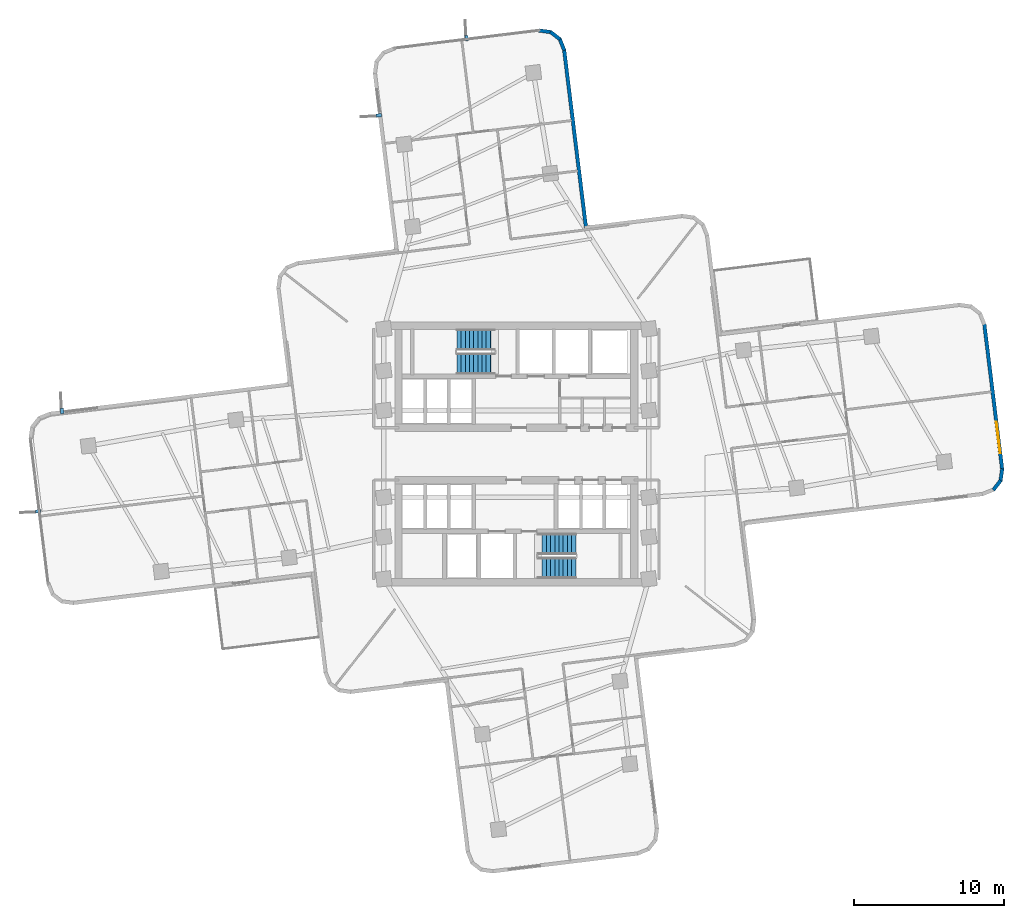
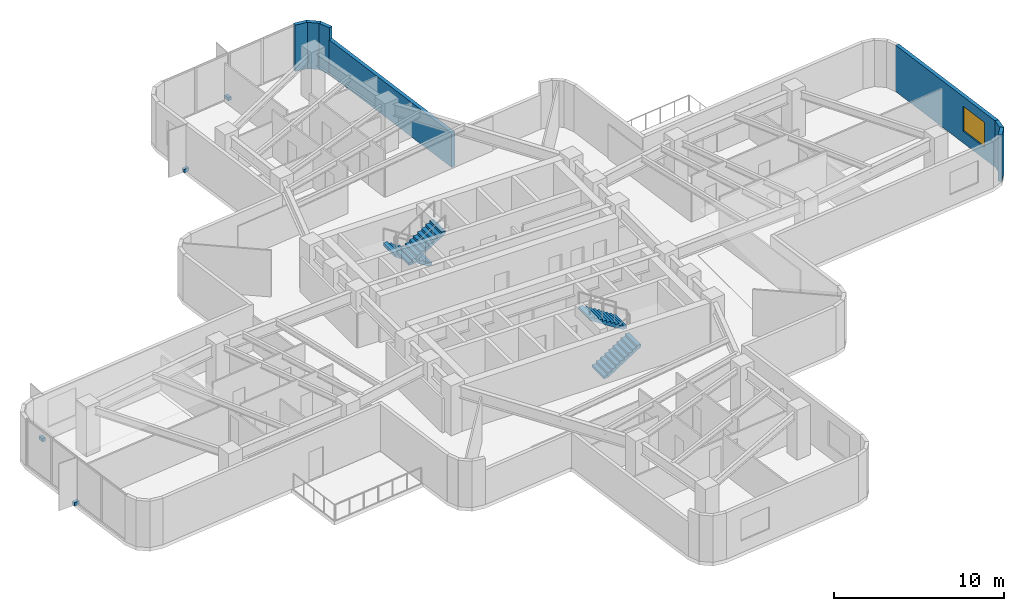
# One storey, part 10 of 13: 7 walls, 4 discrete accessories, 4 stair flights, 1 window, 1 opening, 2 elements without a shape of their own.
"""IFC4 building model written with IfcOpenShell, lengths in metres."""

import ifcopenshell
import ifcopenshell.guid

model = None  # the IFC model being written
_history = None  # IfcOwnerHistory: only IFC2X3 demands one
_inside = {}  # id of a spatial element -> (the spatial element, [elements in it])
_under = {}  # id of a project, library or spatial element -> (it, [spatial elements below it])
_declared = {}  # id of a project -> (the project, [libraries it declares])
_typed = {}  # id of a type object -> (the type object, [elements of that type])
_made_of = {}  # id of a material, layer set ... -> (it, [elements and type objects made of it])


def new_model(schema):
    """Start an empty IFC model of exactly this schema.

    Asked for "IFC4X3", IfcOpenShell would pick the latest addendum, in which some entities
    have other attributes; the version numbers below select the first issue.
    IFC2X3 requires an IfcOwnerHistory on every rooted entity: one is made here for all.
    """
    global model, _history
    if schema == "IFC4X3":
        model = ifcopenshell.file(schema_version=(4, 3, 0, 0))
    else:
        model = ifcopenshell.file(schema=schema)
    _inside.clear()
    _under.clear()
    _declared.clear()
    _typed.clear()
    _made_of.clear()
    _history = None
    if model.schema == "IFC2X3":
        org = make("IfcOrganization", Name="unknown")
        user = make(
            "IfcPersonAndOrganization",
            ThePerson=make("IfcPerson", FamilyName="unknown"),
            TheOrganization=org,
        )
        app = make(
            "IfcApplication",
            ApplicationDeveloper=org,
            Version="unknown",
            ApplicationFullName="unknown",
            ApplicationIdentifier="unknown",
        )
        _history = make(
            "IfcOwnerHistory",
            OwningUser=user,
            OwningApplication=app,
            ChangeAction="ADDED",
            CreationDate=0,
        )
    return model


def make(cls, **values):
    """One entity of the class cls with the attributes given. An attribute that is None is left unset."""
    return model.create_entity(
        cls, **{name: value for name, value in values.items() if value is not None}
    )


def rooted(cls, **values):
    """An entity with a GlobalId (a new one), such as an element, a storey or a relation."""
    return make(cls, GlobalId=ifcopenshell.guid.new(), OwnerHistory=_history, **values)


def si_unit(unit_type, name, prefix=None):
    """IfcSIUnit, for example si_unit("LENGTHUNIT", "METRE", prefix="MILLI")."""
    return make("IfcSIUnit", UnitType=unit_type, Prefix=prefix, Name=name)


def assignment(units):
    """IfcUnitAssignment: the units of a project."""
    return None if units is None else make("IfcUnitAssignment", Units=units)


def point(xyz):
    """IfcCartesianPoint."""
    return None if xyz is None else make("IfcCartesianPoint", Coordinates=xyz)


def direction(xyz):
    """IfcDirection."""
    return None if xyz is None else make("IfcDirection", DirectionRatios=xyz)


def frame(location, z_axis=None, x_axis=None):
    """IfcAxis2Placement3D, a coordinate frame: its origin and axes. An axis left out is left unset."""
    return make(
        "IfcAxis2Placement3D",
        Location=point(location),
        Axis=direction(z_axis),
        RefDirection=direction(x_axis),
    )


def frame_2d(location, x_axis=None):
    """IfcAxis2Placement2D, a coordinate frame in the plane: its origin and x axis."""
    return make(
        "IfcAxis2Placement2D", Location=point(location), RefDirection=direction(x_axis)
    )


def origin():
    """The frame at (0, 0, 0) with its axes left unset."""
    return frame((0.0, 0.0, 0.0))


def origin_2d():
    """The frame at (0, 0) in the plane with its x axis left unset."""
    return frame_2d((0.0, 0.0))


def place(relative_to, where):
    """IfcLocalPlacement: puts the frame where relative to a parent placement (None: the world)."""
    return make(
        "IfcLocalPlacement", PlacementRelTo=relative_to, RelativePlacement=where
    )


def context(
    kind, dimensions, precision=None, world=None, true_north=None, identifier=None
):
    """IfcGeometricRepresentationContext, for example the 3D "Model" context."""
    return make(
        "IfcGeometricRepresentationContext",
        ContextIdentifier=identifier,
        ContextType=kind,
        CoordinateSpaceDimension=dimensions,
        Precision=precision,
        WorldCoordinateSystem=world,
        TrueNorth=true_north,
    )


def subcontext(parent, identifier, kind, view, scale=None):
    """IfcGeometricRepresentationSubContext, for example "Body" below "Model"."""
    return make(
        "IfcGeometricRepresentationSubContext",
        ContextIdentifier=identifier,
        ContextType=kind,
        ParentContext=parent,
        TargetScale=scale,
        TargetView=view,
    )


def project(units=None, contexts=None):
    """IfcProject with its units and contexts."""
    return rooted(
        "IfcProject",
        Name="project",
        RepresentationContexts=contexts,
        UnitsInContext=assignment(units),
    )


def spatial(cls, under=None, at=None, **own):
    """A site, building, storey or space (cls), placed at a placement, below another one or the project."""
    s = rooted(cls, ObjectPlacement=at, **own)
    if under is not None:
        _under.setdefault(under.id(), (under, []))[1].append(s)
    return s


def polyline(points):
    """IfcPolyline through the points."""
    return make("IfcPolyline", Points=[point(p) for p in points])


def profile(cls, at=None, kind="AREA", **sizes):
    """A parametric profile (cls). Its sizes go by their IFC names, for example OverallWidth=200.0."""
    return make(cls, ProfileType=kind, Position=at, **sizes)


def rectangle(**sizes):
    """IfcRectangleProfileDef."""
    return profile("IfcRectangleProfileDef", **sizes)


def outline(outer, holes=None, kind="AREA"):
    """IfcArbitraryClosedProfileDef: a profile drawn as a closed curve; with holes, ...WithVoids."""
    if holes is None:
        return make("IfcArbitraryClosedProfileDef", ProfileType=kind, OuterCurve=outer)
    return make(
        "IfcArbitraryProfileDefWithVoids",
        ProfileType=kind,
        OuterCurve=outer,
        InnerCurves=holes,
    )


def extrude(swept, where, along, depth):
    """IfcExtrudedAreaSolid: the profile swept, set in the frame where, extruded along a direction by depth."""
    return make(
        "IfcExtrudedAreaSolid",
        SweptArea=swept,
        Position=where,
        ExtrudedDirection=direction(along),
        Depth=depth,
    )


def shape(context_of_items, identifier, shape_type, items):
    """IfcShapeRepresentation: the items that make up one representation, for example the "Body"."""
    return make(
        "IfcShapeRepresentation",
        ContextOfItems=context_of_items,
        RepresentationIdentifier=identifier,
        RepresentationType=shape_type,
        Items=items,
    )


def material(Name=None, Category=None):
    """IfcMaterial."""
    return make("IfcMaterial", Name=Name, Category=Category)


def layer(
    of_material, thickness, ventilated=None, Name=None, Category=None, Priority=None
):
    """IfcMaterialLayer: one layer of a wall or slab, of a material (None: an air gap)."""
    return make(
        "IfcMaterialLayer",
        Material=of_material,
        LayerThickness=thickness,
        IsVentilated=ventilated,
        Name=Name,
        Category=Category,
        Priority=Priority,
    )


def layer_set(layers, Name=None):
    """IfcMaterialLayerSet."""
    return make("IfcMaterialLayerSet", MaterialLayers=layers, LayerSetName=Name)


def made_of(thing, what):
    """Note that an element or type object is made of a material, layer set ...; save() writes the relation."""
    if what is not None:
        _made_of.setdefault(what.id(), (what, []))[1].append(thing)
    return thing


def type_object(cls, material=None, **own):
    """A type object (cls), such as IfcWallType, which elements share."""
    return made_of(rooted(cls, **own), material)


def element(
    cls,
    number,
    at=None,
    inside=None,
    cuts=None,
    type_object=None,
    material=None,
    context=None,
    identifier="Body",
    shape_type=None,
    held_by="IfcProductDefinitionShape",
    body=None,
    shapes=None,
    **own,
):
    """One element of the class cls, such as IfcWall. Its Tag is "e" and its number.

    at: its placement. inside: the storey or other place that contains it. cuts: it is an
    opening in that element (IfcRelVoidsElement). A single representation is given by context,
    identifier, shape_type and body (its items); several are given by shapes. held_by: the class
    of the entity that holds the representations. save() writes the other relations.
    """
    e = rooted(cls, Tag="e%d" % number, ObjectPlacement=at, **own)
    if body is not None:
        shapes = [shape(context, identifier, shape_type, body)]
    if shapes is not None:
        e.Representation = make(held_by, Representations=shapes)
    if inside is not None:
        _inside.setdefault(inside.id(), (inside, []))[1].append(e)
    if cuts is not None:
        rooted(
            "IfcRelVoidsElement", RelatingBuildingElement=cuts, RelatedOpeningElement=e
        )
    if type_object is not None:
        _typed.setdefault(type_object.id(), (type_object, []))[1].append(e)
    return made_of(e, material)


def fill(opening, filler):
    """IfcRelFillsElement: the door or window that sits in an opening."""
    return rooted(
        "IfcRelFillsElement",
        RelatingOpeningElement=opening,
        RelatedBuildingElement=filler,
    )


def aggregate(whole, parts):
    """IfcRelAggregates: a whole, such as a stair, and the parts it consists of."""
    return rooted("IfcRelAggregates", RelatingObject=whole, RelatedObjects=parts)


def save(model, path):
    """Write the relations noted so far, then the file.

    IfcRelAggregates (storeys below a building ...), IfcRelContainedInSpatialStructure (elements
    in a storey), IfcRelDefinesByType, IfcRelAssociatesMaterial and IfcRelDeclares: one each for
    every whole, place, type object, material and project.
    """
    for whole, parts in _under.values():
        aggregate(whole, parts)
    for where, things in _inside.values():
        rooted(
            "IfcRelContainedInSpatialStructure",
            RelatedElements=things,
            RelatingStructure=where,
        )
    for kind, things in _typed.values():
        rooted("IfcRelDefinesByType", RelatedObjects=things, RelatingType=kind)
    for what, things in _made_of.values():
        rooted("IfcRelAssociatesMaterial", RelatedObjects=things, RelatingMaterial=what)
    for by, libraries in _declared.values():
        rooted("IfcRelDeclares", RelatingContext=by, RelatedDefinitions=libraries)
    model.write(path)


model = new_model("IFC4")

# Units and contexts
model_context = context("Model", 3, precision=1e-05, world=origin(), true_north=direction((0.0, 1.0)))
body_context = subcontext(model_context, "Body", "Model", "MODEL_VIEW")
ifc_project = project(units=[si_unit("LENGTHUNIT", "METRE"), si_unit("AREAUNIT", "SQUARE_METRE"), si_unit("VOLUMEUNIT", "CUBIC_METRE"), si_unit("PLANEANGLEUNIT", "RADIAN"), si_unit("MASSUNIT", "GRAM", prefix="KILO")], contexts=[model_context])

# Site, building, storey
site_placement = place(None, origin())
site = spatial("IfcSite", under=ifc_project, at=site_placement, CompositionType="ELEMENT")
building_placement = place(site_placement, origin())
building = spatial("IfcBuilding", under=site, at=building_placement, Name="Solmarez Civic Tower", CompositionType="ELEMENT")
storey_placement = place(building_placement, frame((0.0, 0.0, 82.080078125)))
storey = spatial("IfcBuildingStorey", under=building, at=storey_placement, Name="L21", CompositionType="ELEMENT", Elevation=82.080078125)

# Walls
ifc_material_1 = material(Name="Precast concrete C40/50", Category="concrete")
ifc_layer = layer(ifc_material_1, 0.239990234375)
ifc_layer_set = layer_set([ifc_layer], Name="Precast concrete C40/50")
wall_type = type_object("IfcWallType", Name="WALL-EXT-240", PredefinedType="SOLIDWALL", material=ifc_layer_set)
wall_1_placement = place(storey_placement, frame((1.50390625, 28.280029296875, 0.0), z_axis=(0.0, 0.0, 1.0), x_axis=(0.990540037659, -0.137224027762, 0.0)))
element("IfcWall", 1, at=wall_1_placement, inside=storey, type_object=wall_type, Name="L21 Exterior Precast Wall 25", PredefinedType="SOLIDWALL", context=body_context, shape_type="SweptSolid", body=[
    extrude(rectangle(XDim=0.830810546875, YDim=0.239990234375, at=frame_2d((0.41552734375, 0.0))), origin(), (0.0, 0.0, 1.0), 3.33984375),
])
wall_2_placement = place(storey_placement, frame((2.281982421875, 28.18408203125, 0.0), z_axis=(0.0, 0.0, 1.0), x_axis=(0.788415071083, -0.615143622001, 0.0)))
element("IfcWall", 2, at=wall_2_placement, inside=storey, type_object=wall_type, Name="L21 Exterior Precast Wall 26", PredefinedType="SOLIDWALL", context=body_context, shape_type="SweptSolid", body=[
    extrude(rectangle(XDim=0.814453125, YDim=0.239990234375, at=frame_2d((0.4072265625, 0.0))), origin(), (0.0, 0.0, 1.0), 3.33984375),
])
wall_3_placement = place(storey_placement, frame((2.89501953125, 27.720947265625, 0.0), z_axis=(0.0, 0.0, 1.0), x_axis=(0.373927487679, -0.927457941881, 0.0)))
element("IfcWall", 3, at=wall_3_placement, inside=storey, type_object=wall_type, Name="L21 Exterior Precast Wall 27", PredefinedType="SOLIDWALL", context=body_context, shape_type="SweptSolid", body=[
    extrude(rectangle(XDim=0.8291015625, YDim=0.239990234375, at=frame_2d((0.41455078125, 0.0))), origin(), (0.0, 0.0, 1.0), 3.33984375),
])
wall_4_placement = place(storey_placement, frame((3.193115234375, 27.0, 0.0), z_axis=(0.0, 0.0, 1.0), x_axis=(0.12189689255, -0.992542768644, 0.0)))
element("IfcWall", 4, at=wall_4_placement, inside=storey, type_object=wall_type, Name="L21 Exterior Precast Wall 28", PredefinedType="SOLIDWALL", context=body_context, shape_type="SweptSolid", body=[
    extrude(rectangle(XDim=12.0751953125, YDim=0.239990234375, at=frame_2d((6.03759765625, 0.0))), origin(), (0.0, 0.0, 1.0), 2.48583984375),
])

# Wall, opening, window
wall_5_placement = place(storey_placement, frame((31.2548828125, 8.68310546875, 0.0), z_axis=(0.0, 0.0, 1.0), x_axis=(0.12185728374, -0.992547632308, 0.0)))
wall_5 = element("IfcWall", 5, at=wall_5_placement, inside=storey, type_object=wall_type, Name="L21 Exterior Precast Wall 42", PredefinedType="SOLIDWALL", context=body_context, shape_type="SweptSolid", body=[
    extrude(rectangle(XDim=9.799072265625, YDim=0.239990234375, at=frame_2d((4.8994140625, 0.0))), origin(), (0.0, 0.0, 1.0), 3.33984375),
])
opening_placement = place(wall_5_placement, frame((6.593017578125, 0.0, 0.85009765625)))
opening = element("IfcOpeningElement", 6, at=opening_placement, cuts=wall_5, Name="Opening W-07", PredefinedType="OPENING", context=body_context, shape_type="SweptSolid", body=[
    extrude(rectangle(XDim=2.10009765625, YDim=1.800048828125, at=frame_2d((1.050048828125, 0.89990234375))), frame((0.0, 0.1298828125, 0.0), z_axis=(0.0, -1.0, 0.0), x_axis=(1.0, 0.0, 0.0)), (0.0, 0.0, 1.0), 0.260009765625),
])
ifc_material_2 = material(Name="Solar Control Bronze-Tinted Insulating Glass", Category="glass")
window_type = type_object("IfcWindowType", Name="WIN-2100X1800", PartitioningType="SINGLE_PANEL", PredefinedType="WINDOW", material=ifc_material_2)
window_placement = place(opening_placement, origin())
window = element("IfcWindow", 7, at=window_placement, inside=storey, type_object=window_type, Name="L21 Exterior Facade Window 42", OverallHeight=1.800048828125, OverallWidth=2.10009765625, PartitioningType="SINGLE_PANEL", PredefinedType="WINDOW", context=body_context, shape_type="SweptSolid", body=[
    extrude(rectangle(XDim=2.10009765625, YDim=1.800048828125, at=frame_2d((1.050048828125, 0.89990234375))), frame((0.0, 0.030029296875, 0.0), z_axis=(0.0, -1.0, 0.0), x_axis=(1.0, 0.0, 0.0)), (0.0, 0.0, 1.0), 0.06005859375),
])
fill(opening, window)

# Walls
wall_6_placement = place(storey_placement, frame((32.448974609375, -0.992919921875, 0.0), z_axis=(0.0, 0.0, 1.0), x_axis=(-0.138538220487, -0.990357087855, 0.0)))
element("IfcWall", 8, at=wall_6_placement, inside=storey, type_object=wall_type, Name="L21 Exterior Precast Wall 43", PredefinedType="SOLIDWALL", context=body_context, shape_type="SweptSolid", body=[
    extrude(rectangle(XDim=0.830078125, YDim=0.239990234375, at=frame_2d((0.4150390625, 0.0))), origin(), (0.0, 0.0, 1.0), 3.33984375),
])
wall_7_placement = place(storey_placement, frame((32.35205078125, -1.77001953125, 0.0), z_axis=(0.0, 0.0, 1.0), x_axis=(-0.614397431824, -0.788996702001, 0.0)))
element("IfcWall", 9, at=wall_7_placement, inside=storey, type_object=wall_type, Name="L21 Exterior Precast Wall 44", PredefinedType="SOLIDWALL", context=body_context, shape_type="SweptSolid", body=[
    extrude(rectangle(XDim=0.813720703125, YDim=0.239990234375, at=frame_2d((0.40673828125, 0.0))), origin(), (0.0, 0.0, 1.0), 3.33984375),
])

# Stair, stair flights
ifc_material_3 = material(Name="Concrete C50/60", Category="concrete")
stair_type = type_object("IfcStairType", Name="STAIR-DOGLEG-140W-20R-1800", PredefinedType="HALF_TURN_STAIR", material=ifc_material_3)
stair_1_placement = place(storey_placement, origin())
stair_1 = element("IfcStair", 10, at=stair_1_placement, inside=storey, type_object=stair_type, Name="L21 North Core Protected Exit Stair ST-1", PredefinedType="HALF_TURN_STAIR")
stair_flight_type = type_object("IfcStairFlightType", Name="FLIGHT-DOGLEG-140W-10R-1800", PredefinedType="STRAIGHT", material=ifc_material_3)
stair_flight_1_placement = place(storey_placement, frame((-1.449951171875, 7.6201171875, 0.0), z_axis=(0.0, 0.0, 1.0), x_axis=(-1.0, 0.0, 0.0)))
stair_flight_1 = element("IfcStairFlight", 11, at=stair_flight_1_placement, type_object=stair_flight_type, Name="ST-1 flight 1", NumberOfRisers=10, NumberOfTreads=9, PredefinedType="STRAIGHT", RiserHeight=0.18, TreadLength=0.28, context=body_context, shape_type="SweptSolid", body=[
    extrude(outline(polyline([(0.0, 0.0), (0.0, 0.179931640625), (0.280029296875, 0.179931640625), (0.280029296875, 0.360107421875), (0.56005859375, 0.360107421875), (0.56005859375, 0.5400390625), (0.840087890625, 0.5400390625), (0.840087890625, 0.719970703125), (1.1201171875, 0.719970703125), (1.1201171875, 0.89990234375), (1.39990234375, 0.89990234375), (1.39990234375, 1.080078125), (1.679931640625, 1.080078125), (1.679931640625, 1.260009765625), (1.9599609375, 1.260009765625), (1.9599609375, 1.43994140625), (2.239990234375, 1.43994140625), (2.239990234375, 1.6201171875), (2.52001953125, 1.6201171875), (2.52001953125, 1.800048828125), (2.52001953125, 1.429931640625), (0.295654296875, 0.0), (0.0, 0.0)])), frame((0.0, 0.699951171875, 0.0), z_axis=(0.0, -1.0, 0.0), x_axis=(1.0, 0.0, 0.0)), (0.0, 0.0, 1.0), 1.39990234375),
])
stair_flight_2_placement = place(storey_placement, frame((-3.969970703125, 6.02001953125, 1.7998046875), z_axis=(0.0, 0.0, 1.0), x_axis=(1.0, 0.0, 0.0)))
stair_flight_2 = element("IfcStairFlight", 12, at=stair_flight_2_placement, type_object=stair_flight_type, Name="ST-1 flight 2", NumberOfRisers=10, NumberOfTreads=9, PredefinedType="STRAIGHT", RiserHeight=0.18, TreadLength=0.28, context=body_context, shape_type="SweptSolid", body=[
    extrude(outline(polyline([(0.0, 0.0), (0.0, 0.179931640625), (0.280029296875, 0.179931640625), (0.280029296875, 0.360107421875), (0.56005859375, 0.360107421875), (0.56005859375, 0.5400390625), (0.840087890625, 0.5400390625), (0.840087890625, 0.719970703125), (1.1201171875, 0.719970703125), (1.1201171875, 0.89990234375), (1.39990234375, 0.89990234375), (1.39990234375, 1.080078125), (1.679931640625, 1.080078125), (1.679931640625, 1.260009765625), (1.9599609375, 1.260009765625), (1.9599609375, 1.43994140625), (2.239990234375, 1.43994140625), (2.239990234375, 1.6201171875), (2.52001953125, 1.6201171875), (2.52001953125, 1.800048828125), (2.52001953125, 1.429931640625), (0.295654296875, 0.0), (0.0, 0.0)])), frame((0.0, 0.699951171875, 0.0), z_axis=(0.0, -1.0, 0.0), x_axis=(1.0, 0.0, 0.0)), (0.0, 0.0, 1.0), 1.39990234375),
])
aggregate(stair_1, [stair_flight_1, stair_flight_2])

stair_2_placement = place(storey_placement, origin())
stair_2 = element("IfcStair", 13, at=stair_2_placement, inside=storey, type_object=stair_type, Name="L21 South Core Protected Exit Stair ST-2", PredefinedType="HALF_TURN_STAIR")
stair_flight_3_placement = place(storey_placement, frame((1.449951171875, -7.6201171875, 0.0), z_axis=(0.0, 0.0, 1.0), x_axis=(1.0, 0.0, 0.0)))
stair_flight_3 = element("IfcStairFlight", 14, at=stair_flight_3_placement, type_object=stair_flight_type, Name="ST-2 flight 1", NumberOfRisers=10, NumberOfTreads=9, PredefinedType="STRAIGHT", RiserHeight=0.18, TreadLength=0.28, context=body_context, shape_type="SweptSolid", body=[
    extrude(outline(polyline([(0.0, 0.0), (0.0, 0.179931640625), (0.280029296875, 0.179931640625), (0.280029296875, 0.360107421875), (0.56005859375, 0.360107421875), (0.56005859375, 0.5400390625), (0.840087890625, 0.5400390625), (0.840087890625, 0.719970703125), (1.1201171875, 0.719970703125), (1.1201171875, 0.89990234375), (1.39990234375, 0.89990234375), (1.39990234375, 1.080078125), (1.679931640625, 1.080078125), (1.679931640625, 1.260009765625), (1.9599609375, 1.260009765625), (1.9599609375, 1.43994140625), (2.239990234375, 1.43994140625), (2.239990234375, 1.6201171875), (2.52001953125, 1.6201171875), (2.52001953125, 1.800048828125), (2.52001953125, 1.429931640625), (0.295654296875, 0.0), (0.0, 0.0)])), frame((0.0, 0.699951171875, 0.0), z_axis=(0.0, -1.0, 0.0), x_axis=(1.0, 0.0, 0.0)), (0.0, 0.0, 1.0), 1.39990234375),
])
stair_flight_4_placement = place(storey_placement, frame((3.969970703125, -6.02001953125, 1.7998046875), z_axis=(0.0, 0.0, 1.0), x_axis=(-1.0, 0.0, 0.0)))
stair_flight_4 = element("IfcStairFlight", 15, at=stair_flight_4_placement, type_object=stair_flight_type, Name="ST-2 flight 2", NumberOfRisers=10, NumberOfTreads=9, PredefinedType="STRAIGHT", RiserHeight=0.18, TreadLength=0.28, context=body_context, shape_type="SweptSolid", body=[
    extrude(outline(polyline([(0.0, 0.0), (0.0, 0.179931640625), (0.280029296875, 0.179931640625), (0.280029296875, 0.360107421875), (0.56005859375, 0.360107421875), (0.56005859375, 0.5400390625), (0.840087890625, 0.5400390625), (0.840087890625, 0.719970703125), (1.1201171875, 0.719970703125), (1.1201171875, 0.89990234375), (1.39990234375, 0.89990234375), (1.39990234375, 1.080078125), (1.679931640625, 1.080078125), (1.679931640625, 1.260009765625), (1.9599609375, 1.260009765625), (1.9599609375, 1.43994140625), (2.239990234375, 1.43994140625), (2.239990234375, 1.6201171875), (2.52001953125, 1.6201171875), (2.52001953125, 1.800048828125), (2.52001953125, 1.429931640625), (0.295654296875, 0.0), (0.0, 0.0)])), frame((0.0, 0.699951171875, 0.0), z_axis=(0.0, -1.0, 0.0), x_axis=(1.0, 0.0, 0.0)), (0.0, 0.0, 1.0), 1.39990234375),
])
aggregate(stair_2, [stair_flight_3, stair_flight_4])

# Discrete accessories
ifc_material_4 = material(Name="Stainless Steel Grade 1.4401", Category="steel")
discrete_accessory_type = type_object("IfcDiscreteAccessoryType", Name="BRACKET-SS-FIN", PredefinedType="BRACKET", material=ifc_material_4)
for number, where, z_axis, x_axis, name in (
    (16, (-31.930908203125, -3.830078125, -0.06005859375), (0.0, 0.0, 1.0), (-0.992546938425, -0.121862935396, 0.0), "L21 Stainless Fin Support Bracket FIN-L21-01"),
    (17, (-30.3349609375, 2.864990234375, -0.06005859375), (0.0, 0.0, 1.0), (-0.121824968646, 0.99255159917, 0.0), "L21 Stainless Fin Support Bracket FIN-L21-02"),
    (18, (-9.18408203125, 22.60791015625, -0.06005859375), (0.0, 0.0, 1.0), (-0.992544520561, -0.121882626753, 0.0), "L21 Stainless Fin Support Bracket FIN-L21-03"),
    (19, (-3.318115234375, 27.761962890625, -0.06005859375), (0.0, 0.0, 1.0), (-0.121875343968, 0.992545414846, 0.0), "L21 Stainless Fin Support Bracket FIN-L21-04"),
):
    element("IfcDiscreteAccessory", number, at=place(storey_placement, frame(where, z_axis=z_axis, x_axis=x_axis)), inside=storey, type_object=discrete_accessory_type, Name=name, PredefinedType="BRACKET", context=body_context, shape_type="SweptSolid", body=[
        extrude(rectangle(XDim=0.360107421875, YDim=0.219970703125, at=origin_2d()), origin(), (0.0, 0.0, 1.0), 0.239990234375),
    ])

save(model, "model.ifc")
